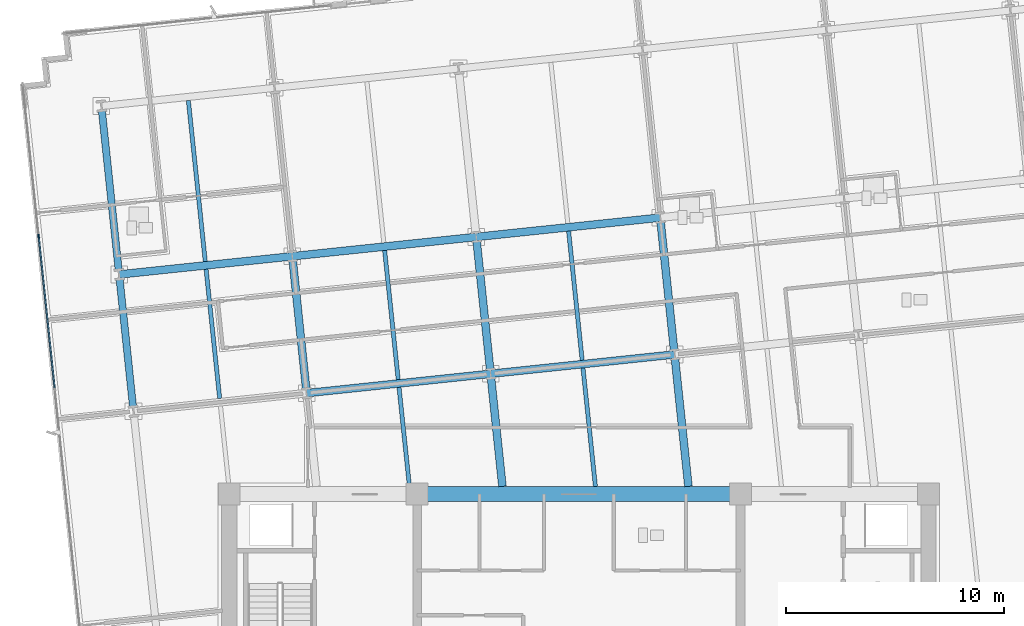
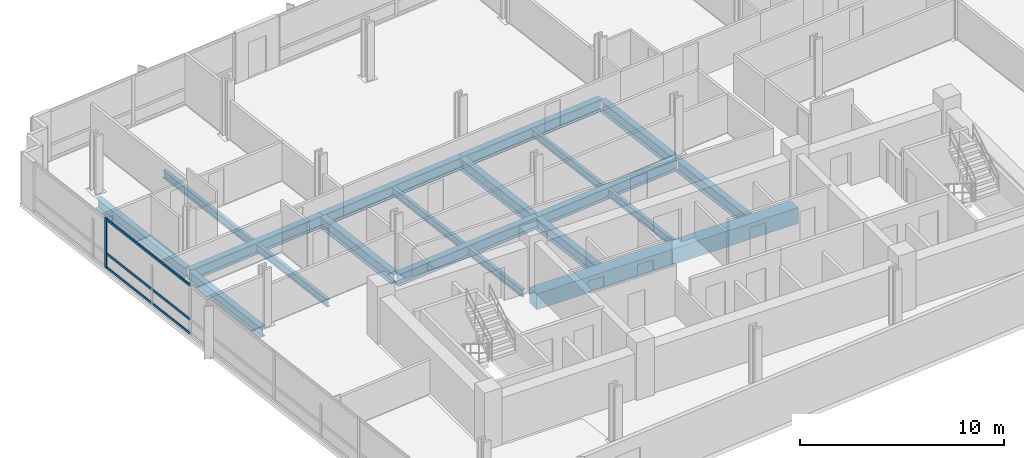
# One storey, part 3 of 18: 19 beams, 4 members, 1 element without a shape of its own.
"""IFC4 building model written with IfcOpenShell, lengths in metres."""

from ifc_helpers import new_model, si_unit, direction, frame, origin, origin_2d, place, context, subcontext, project, spatial, rectangle, i_section, extrude, material, material_profile, profile_set, type_object, element, aggregate, save


model = new_model("IFC4")

# Units and contexts
model_context = context("Model", 3, precision=1e-05, world=origin(), true_north=direction((0.0, 1.0)))
body_context = subcontext(model_context, "Body", "Model", "MODEL_VIEW")
ifc_project = project(units=[si_unit("LENGTHUNIT", "METRE"), si_unit("AREAUNIT", "SQUARE_METRE"), si_unit("VOLUMEUNIT", "CUBIC_METRE"), si_unit("PLANEANGLEUNIT", "RADIAN"), si_unit("MASSUNIT", "GRAM", prefix="KILO")], contexts=[model_context])

# Site, building, storey
site_placement = place(None, origin())
site = spatial("IfcSite", under=ifc_project, at=site_placement, CompositionType="ELEMENT")
building_placement = place(site_placement, origin())
building = spatial("IfcBuilding", under=site, at=building_placement, Name="Solmavex Isthmus Hotel", CompositionType="ELEMENT")
storey_placement = place(building_placement, frame((0.0, 0.0, 127.050048828125)))
storey = spatial("IfcBuildingStorey", under=building, at=storey_placement, Name="L34", CompositionType="ELEMENT", Elevation=127.050048828125)

# Beams
ifc_material_1 = material(Name="Steel ASTM A992 Grade 50", Category="steel")
ifc_material_profile_1 = material_profile(ifc_material_1, i_section(OverallWidth=0.354736328125, OverallDepth=0.695556640625, WebThickness=0.015380859375, FlangeThickness=0.02490234375, FilletRadius=0.017822265625, at=origin_2d()), Name="W27X146")
ifc_profile_set_1 = profile_set([ifc_material_profile_1], Name="Steel ASTM A992 Grade 50")
beam_type_1 = type_object("IfcBeamType", Name="BM-BG-W27X146", PredefinedType="BEAM", material=ifc_profile_set_1)
beam_1_placement = place(storey_placement, frame((-12.458740234375, 2.11865234375, -0.60791015625), z_axis=(0.994521085209, 0.104536171134, 0.0), x_axis=(-0.104536171134, 0.994521085209, 0.0)))
element("IfcBeam", 1, at=beam_1_placement, inside=storey, type_object=beam_type_1, Name="Floor Girder L34-UG08", PredefinedType="BEAM", context=body_context, shape_type="SweptSolid", body=[
    extrude(i_section(OverallWidth=0.354736328125, OverallDepth=0.695556640625, WebThickness=0.015380859375, FlangeThickness=0.02490234375, FilletRadius=0.017822265625, at=origin_2d()), origin(), (0.0, 0.0, 1.0), 8.466064453125),
])
beam_2_placement = place(storey_placement, frame((-4.0390625, 3.003662109375, -0.60791015625), z_axis=(0.994523767887, 0.104510645909, 0.0), x_axis=(-0.104510645909, 0.994523767887, 0.0)))
element("IfcBeam", 2, at=beam_2_placement, inside=storey, type_object=beam_type_1, Name="Floor Girder L34-UG09", PredefinedType="BEAM", context=body_context, shape_type="SweptSolid", body=[
    extrude(i_section(OverallWidth=0.354736328125, OverallDepth=0.695556640625, WebThickness=0.015380859375, FlangeThickness=0.02490234375, FilletRadius=0.017822265625, at=origin_2d()), origin(), (0.0, 0.0, 1.0), 8.4658203125),
])
beam_3_placement = place(storey_placement, frame((-21.04150390625, 7.54931640625, -0.60791015625), z_axis=(0.994523402738, 0.104514120609, 0.0), x_axis=(-0.104514120609, 0.994523402738, 0.0)))
element("IfcBeam", 3, at=beam_3_placement, inside=storey, type_object=beam_type_1, Name="Floor Girder L34-UG13", PredefinedType="BEAM", context=body_context, shape_type="SweptSolid", body=[
    extrude(i_section(OverallWidth=0.354736328125, OverallDepth=0.695556640625, WebThickness=0.015380859375, FlangeThickness=0.02490234375, FilletRadius=0.017822265625, at=origin_2d()), origin(), (0.0, 0.0, 1.0), 7.968017578125),
])
for number, where, z_axis, x_axis, name in (
    (4, (-13.1171875, 8.382080078125, -0.60791015625), (0.994521085209, 0.104536171134, 0.0), (-0.104536171134, 0.994521085209, 0.0), "Floor Girder L34-UG14"),
    (5, (-4.697509765625, 9.26708984375, -0.60791015625), (0.994521085209, 0.104536171134, 0.0), (-0.104536171134, 0.994521085209, 0.0), "Floor Girder L34-UG15"),
):
    element("IfcBeam", number, at=place(storey_placement, frame(where, z_axis=z_axis, x_axis=x_axis)), inside=storey, type_object=beam_type_1, Name=name, PredefinedType="BEAM", context=body_context, shape_type="SweptSolid", body=[
        extrude(i_section(OverallWidth=0.354736328125, OverallDepth=0.695556640625, WebThickness=0.015380859375, FlangeThickness=0.02490234375, FilletRadius=0.017822265625, at=origin_2d()), origin(), (0.0, 0.0, 1.0), 8.466064453125),
    ])
beam_4_placement = place(storey_placement, frame((-12.477294921875, 2.295166015625, -0.60791015625), z_axis=(-0.104545790518, 0.994520074048, 0.0), x_axis=(-0.994520074048, -0.104545790518, 0.0)))
element("IfcBeam", 6, at=beam_4_placement, inside=storey, type_object=beam_type_1, Name="Floor Beam L34-VG30", PredefinedType="BEAM", context=body_context, shape_type="SweptSolid", body=[
    extrude(i_section(OverallWidth=0.354736328125, OverallDepth=0.695556640625, WebThickness=0.015380859375, FlangeThickness=0.02490234375, FilletRadius=0.017822265625, at=origin_2d()), origin(), (0.0, 0.0, 1.0), 5.943115234375),
])
beam_5_placement = place(storey_placement, frame((-3.49755859375, -2.14990234375, -0.60791015625), z_axis=(-0.104496861251, 0.994525216366, 0.0), x_axis=(-0.994525216366, -0.104496861251, 0.0)))
element("IfcBeam", 7, at=beam_5_placement, inside=storey, type_object=beam_type_1, Name="Floor Beam L34-VG33", PredefinedType="BEAM", context=body_context, shape_type="SweptSolid", body=[
    extrude(i_section(OverallWidth=0.354736328125, OverallDepth=0.695556640625, WebThickness=0.015380859375, FlangeThickness=0.02490234375, FilletRadius=0.017822265625, at=origin_2d()), origin(), (0.0, 0.0, 1.0), 5.00439453125),
])
beam_6_placement = place(storey_placement, frame((-4.0576171875, 3.179931640625, -0.60791015625), z_axis=(-0.104545790518, 0.994520074048, 0.0), x_axis=(-0.994520074048, -0.104545790518, 0.0)))
element("IfcBeam", 8, at=beam_6_placement, inside=storey, type_object=beam_type_1, Name="Floor Beam L34-VG34", PredefinedType="BEAM", context=body_context, shape_type="SweptSolid", body=[
    extrude(i_section(OverallWidth=0.354736328125, OverallDepth=0.695556640625, WebThickness=0.015380859375, FlangeThickness=0.02490234375, FilletRadius=0.017822265625, at=origin_2d()), origin(), (0.0, 0.0, 1.0), 5.943115234375),
])
beam_7_placement = place(storey_placement, frame((5.01513671875, -2.14990234375, -0.60791015625), z_axis=(-0.104542482388, 0.994520421799, 0.0), x_axis=(-0.994520421799, -0.104542482388, 0.0)))
element("IfcBeam", 9, at=beam_7_placement, inside=storey, type_object=beam_type_1, Name="Floor Beam L34-VG37", PredefinedType="BEAM", context=body_context, shape_type="SweptSolid", body=[
    extrude(i_section(OverallWidth=0.354736328125, OverallDepth=0.695556640625, WebThickness=0.015380859375, FlangeThickness=0.02490234375, FilletRadius=0.017822265625, at=origin_2d()), origin(), (0.0, 0.0, 1.0), 5.894287109375),
])
beam_8_placement = place(storey_placement, frame((4.362060546875, 4.06494140625, -0.60791015625), z_axis=(-0.104545790518, 0.994520074048, 0.0), x_axis=(-0.994520074048, -0.104545790518, 0.0)))
element("IfcBeam", 10, at=beam_8_placement, inside=storey, type_object=beam_type_1, Name="Floor Beam L34-VG38", PredefinedType="BEAM", context=body_context, shape_type="SweptSolid", body=[
    extrude(i_section(OverallWidth=0.354736328125, OverallDepth=0.695556640625, WebThickness=0.015380859375, FlangeThickness=0.02490234375, FilletRadius=0.017822265625, at=origin_2d()), origin(), (0.0, 0.0, 1.0), 5.943115234375),
])
ifc_material_profile_2 = material_profile(ifc_material_1, i_section(OverallWidth=0.1904296875, OverallDepth=0.456787109375, WebThickness=0.009033203125, FlangeThickness=0.014404296875, FilletRadius=0.0126953125, at=origin_2d()), Name="W18X50")
ifc_profile_set_2 = profile_set([ifc_material_profile_2], Name="Steel ASTM A992 Grade 50")
beam_type_2 = type_object("IfcBeamType", Name="BM-BJ-W18X50", PredefinedType="JOIST", material=ifc_profile_set_2)
beam_9_placement = place(storey_placement, frame((-16.439453125, 1.878662109375, -0.488525390625), z_axis=(-0.104545790518, 0.994520074048, 0.0), x_axis=(-0.994520074048, -0.104545790518, 0.0)))
element("IfcBeam", 11, at=beam_9_placement, inside=storey, type_object=beam_type_2, Name="Secondary Floor Joist L34-J03", PredefinedType="JOIST", context=body_context, shape_type="SweptSolid", body=[
    extrude(i_section(OverallWidth=0.1904296875, OverallDepth=0.456787109375, WebThickness=0.009033203125, FlangeThickness=0.014404296875, FilletRadius=0.0126953125, at=origin_2d()), origin(), (0.0, 0.0, 1.0), 5.943115234375),
])
beam_10_placement = place(storey_placement, frame((-17.097900390625, 8.14208984375, -0.488525390625), z_axis=(-0.104525307271, 0.994522227072, 0.0), x_axis=(-0.994522227072, -0.104525307271, 0.0)))
element("IfcBeam", 12, at=beam_10_placement, inside=storey, type_object=beam_type_2, Name="Secondary Floor Joist L34-J04", PredefinedType="JOIST", context=body_context, shape_type="SweptSolid", body=[
    extrude(i_section(OverallWidth=0.1904296875, OverallDepth=0.456787109375, WebThickness=0.009033203125, FlangeThickness=0.014404296875, FilletRadius=0.0126953125, at=origin_2d()), origin(), (0.0, 0.0, 1.0), 7.4111328125),
])
beam_11_placement = place(storey_placement, frame((-7.75390625, -2.14990234375, -0.488525390625), z_axis=(-0.104517550263, 0.994523042311, 0.0), x_axis=(-0.994523042311, -0.104517550263, 0.0)))
element("IfcBeam", 13, at=beam_11_placement, inside=storey, type_object=beam_type_2, Name="Secondary Floor Joist L34-J06", PredefinedType="JOIST", context=body_context, shape_type="SweptSolid", body=[
    extrude(i_section(OverallWidth=0.1904296875, OverallDepth=0.456787109375, WebThickness=0.009033203125, FlangeThickness=0.014404296875, FilletRadius=0.0126953125, at=origin_2d()), origin(), (0.0, 0.0, 1.0), 4.5595703125),
])
beam_12_placement = place(storey_placement, frame((-8.267578125, 2.737548828125, -0.488525390625), z_axis=(-0.104505160346, 0.994524344328, 0.0), x_axis=(-0.994524344328, -0.104505160346, 0.0)))
element("IfcBeam", 14, at=beam_12_placement, inside=storey, type_object=beam_type_2, Name="Secondary Floor Joist L34-J07", PredefinedType="JOIST", context=body_context, shape_type="SweptSolid", body=[
    extrude(i_section(OverallWidth=0.1904296875, OverallDepth=0.456787109375, WebThickness=0.009033203125, FlangeThickness=0.014404296875, FilletRadius=0.0126953125, at=origin_2d()), origin(), (0.0, 0.0, 1.0), 5.943115234375),
])
beam_13_placement = place(storey_placement, frame((0.7587890625, -2.14990234375, -0.488525390625), z_axis=(-0.104523862956, 0.99452237887, 0.0), x_axis=(-0.99452237887, -0.104523862956, 0.0)))
element("IfcBeam", 15, at=beam_13_placement, inside=storey, type_object=beam_type_2, Name="Secondary Floor Joist L34-J10", PredefinedType="JOIST", context=body_context, shape_type="SweptSolid", body=[
    extrude(i_section(OverallWidth=0.1904296875, OverallDepth=0.456787109375, WebThickness=0.009033203125, FlangeThickness=0.014404296875, FilletRadius=0.0126953125, at=origin_2d()), origin(), (0.0, 0.0, 1.0), 5.44921875),
])
beam_14_placement = place(storey_placement, frame((0.152099609375, 3.62255859375, -0.488525390625), z_axis=(-0.104505160346, 0.994524344328, 0.0), x_axis=(-0.994524344328, -0.104505160346, 0.0)))
element("IfcBeam", 16, at=beam_14_placement, inside=storey, type_object=beam_type_2, Name="Secondary Floor Joist L34-J11", PredefinedType="JOIST", context=body_context, shape_type="SweptSolid", body=[
    extrude(i_section(OverallWidth=0.1904296875, OverallDepth=0.456787109375, WebThickness=0.009033203125, FlangeThickness=0.014404296875, FilletRadius=0.0126953125, at=origin_2d()), origin(), (0.0, 0.0, 1.0), 5.943115234375),
])
ifc_material_2 = material(Name="Concrete C60/75", Category="concrete")
ifc_material_profile_3 = material_profile(ifc_material_2, rectangle(XDim=0.699951171875, YDim=0.949951171875, at=origin_2d()), Name="RC700X950")
ifc_profile_set_3 = profile_set([ifc_material_profile_3], Name="Concrete C60/75")
beam_type_3 = type_object("IfcBeamType", Name="BM-CB-700X950", PredefinedType="BEAM", material=ifc_profile_set_3)
beam_15_placement = place(storey_placement, frame((-7.39990234375, -2.5, -0.735107421875), z_axis=(1.0, 0.0, 0.0), x_axis=(0.0, 1.0, 0.0)))
element("IfcBeam", 17, at=beam_15_placement, inside=storey, type_object=beam_type_3, Name="Core Coupling Beam L34-CB5", PredefinedType="BEAM", context=body_context, shape_type="SweptSolid", body=[
    extrude(rectangle(XDim=0.699951171875, YDim=0.949951171875, at=origin_2d()), origin(), (0.0, 0.0, 1.0), 14.7998046875),
])
ifc_material_profile_4 = material_profile(ifc_material_1, i_section(OverallWidth=0.326416015625, OverallDepth=0.621826171875, WebThickness=0.015380859375, FlangeThickness=0.0244140625, FilletRadius=0.01513671875, at=origin_2d()), Name="W24X131")
ifc_profile_set_4 = profile_set([ifc_material_profile_4], Name="Steel ASTM A992 Grade 50")
beam_type_4 = type_object("IfcBeamType", Name="BM-SP-W24X131", PredefinedType="SPANDREL", material=ifc_profile_set_4)
beam_16_placement = place(storey_placement, frame((-20.401611328125, 1.462158203125, -0.571044921875), z_axis=(-0.104545790518, 0.994520074048, 0.0), x_axis=(-0.994520074048, -0.104545790518, 0.0)))
element("IfcBeam", 18, at=beam_16_placement, inside=storey, type_object=beam_type_4, Name="Floor Beam L34-VG26", PredefinedType="SPANDREL", context=body_context, shape_type="SweptSolid", body=[
    extrude(i_section(OverallWidth=0.326416015625, OverallDepth=0.621826171875, WebThickness=0.015380859375, FlangeThickness=0.0244140625, FilletRadius=0.01513671875, at=origin_2d()), origin(), (0.0, 0.0, 1.0), 5.943115234375),
])
beam_17_placement = place(storey_placement, frame((-21.06005859375, 7.7255859375, -0.571044921875), z_axis=(-0.10452188296, 0.994522586964, 0.0), x_axis=(-0.994522586964, -0.10452188296, 0.0)))
element("IfcBeam", 19, at=beam_17_placement, inside=storey, type_object=beam_type_4, Name="Floor Beam L34-VG27", PredefinedType="SPANDREL", context=body_context, shape_type="SweptSolid", body=[
    extrude(i_section(OverallWidth=0.326416015625, OverallDepth=0.621826171875, WebThickness=0.015380859375, FlangeThickness=0.0244140625, FilletRadius=0.01513671875, at=origin_2d()), origin(), (0.0, 0.0, 1.0), 7.411376953125),
])

# Curtain wall, members
ifc_material_3 = material(Name="Aluminium alloy 6063-T6", Category="aluminium")
curtain_wall_type = type_object("IfcCurtainWallType", Name="CW-SYS-03", PredefinedType="NOTDEFINED", material=ifc_material_3)
curtain_wall_placement = place(storey_placement, origin())
curtain_wall = element("IfcCurtainWall", 20, at=curtain_wall_placement, inside=storey, type_object=curtain_wall_type, Name="Stick Curtain Wall CWL-L34-W1", PredefinedType="NOTDEFINED")
ifc_material_profile_5 = material_profile(ifc_material_3, rectangle(XDim=0.070068359375, YDim=0.179931640625, at=origin_2d()), Name="CWM-70X180")
ifc_profile_set_5 = profile_set([ifc_material_profile_5], Name="Aluminium alloy 6063-T6")
member_type_1 = type_object("IfcMemberType", Name="CW-SYS-03-MUL", PredefinedType="MULLION", material=ifc_profile_set_5)
member_1_placement = place(storey_placement, frame((-24.725341796875, 9.305908203125, 0.0), z_axis=(0.0, 0.0, 1.0), x_axis=(-0.994521893044, -0.104528485381, 0.0)))
member_1 = element("IfcMember", 21, at=member_1_placement, type_object=member_type_1, Name="CW-03 mullion 5", PredefinedType="MULLION", context=body_context, shape_type="SweptSolid", body=[
    extrude(rectangle(XDim=0.070068359375, YDim=0.179931640625, at=origin_2d()), origin(), (0.0, 0.0, 1.0), 3.0),
])
ifc_material_profile_6 = material_profile(ifc_material_3, rectangle(XDim=0.070068359375, YDim=0.139892578125, at=origin_2d()), Name="CWT-70X140")
ifc_profile_set_6 = profile_set([ifc_material_profile_6], Name="Aluminium alloy 6063-T6")
member_type_2 = type_object("IfcMemberType", Name="CW-SYS-03-TRN", PredefinedType="USERDEFINED", material=ifc_profile_set_6)
member_2_placement = place(storey_placement, frame((-23.9951171875, 2.359130859375, 0.070068359375), z_axis=(-0.104542152467, 0.99452045648, 0.0), x_axis=(-0.99452045648, -0.104542152467, 0.0)))
member_2 = element("IfcMember", 22, at=member_2_placement, type_object=member_type_2, Name="CW-03 transom 4.1", ObjectType="TRANSOM", PredefinedType="USERDEFINED", context=body_context, shape_type="SweptSolid", body=[
    extrude(rectangle(XDim=0.070068359375, YDim=0.139892578125, at=origin_2d()), origin(), (0.0, 0.0, 1.0), 6.949951171875),
])
member_3_placement = place(storey_placement, frame((-23.9951171875, 2.359130859375, 0.89990234375), z_axis=(-0.104542152467, 0.99452045648, 0.0), x_axis=(-0.99452045648, -0.104542152467, 0.0)))
member_3 = element("IfcMember", 23, at=member_3_placement, type_object=member_type_2, Name="CW-03 transom 4.2", ObjectType="TRANSOM", PredefinedType="USERDEFINED", context=body_context, shape_type="SweptSolid", body=[
    extrude(rectangle(XDim=0.070068359375, YDim=0.139892578125, at=origin_2d()), origin(), (0.0, 0.0, 1.0), 6.949951171875),
])
member_4_placement = place(storey_placement, frame((-23.9951171875, 2.359130859375, 2.929931640625), z_axis=(-0.104542152467, 0.99452045648, 0.0), x_axis=(-0.99452045648, -0.104542152467, 0.0)))
member_4 = element("IfcMember", 24, at=member_4_placement, type_object=member_type_2, Name="CW-03 transom 4.3", ObjectType="TRANSOM", PredefinedType="USERDEFINED", context=body_context, shape_type="SweptSolid", body=[
    extrude(rectangle(XDim=0.070068359375, YDim=0.139892578125, at=origin_2d()), origin(), (0.0, 0.0, 1.0), 6.949951171875),
])
aggregate(curtain_wall, [member_1, member_2, member_3, member_4])

save(model, "model.ifc")
